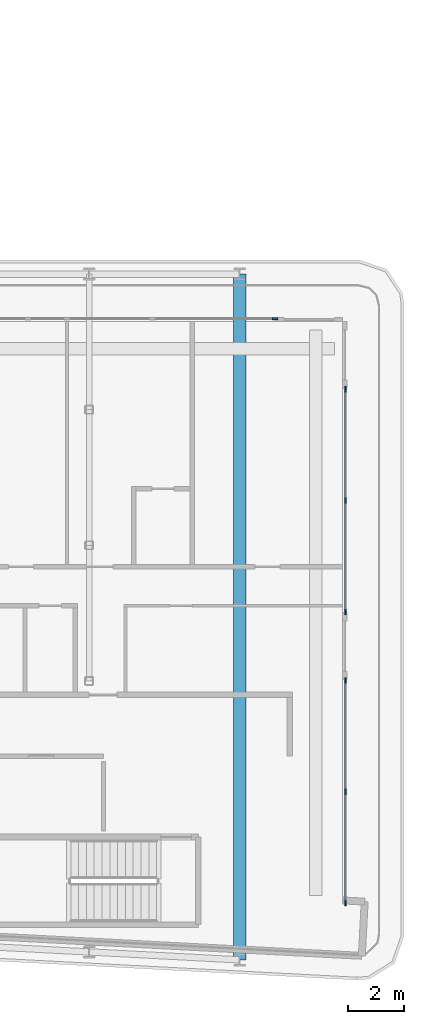
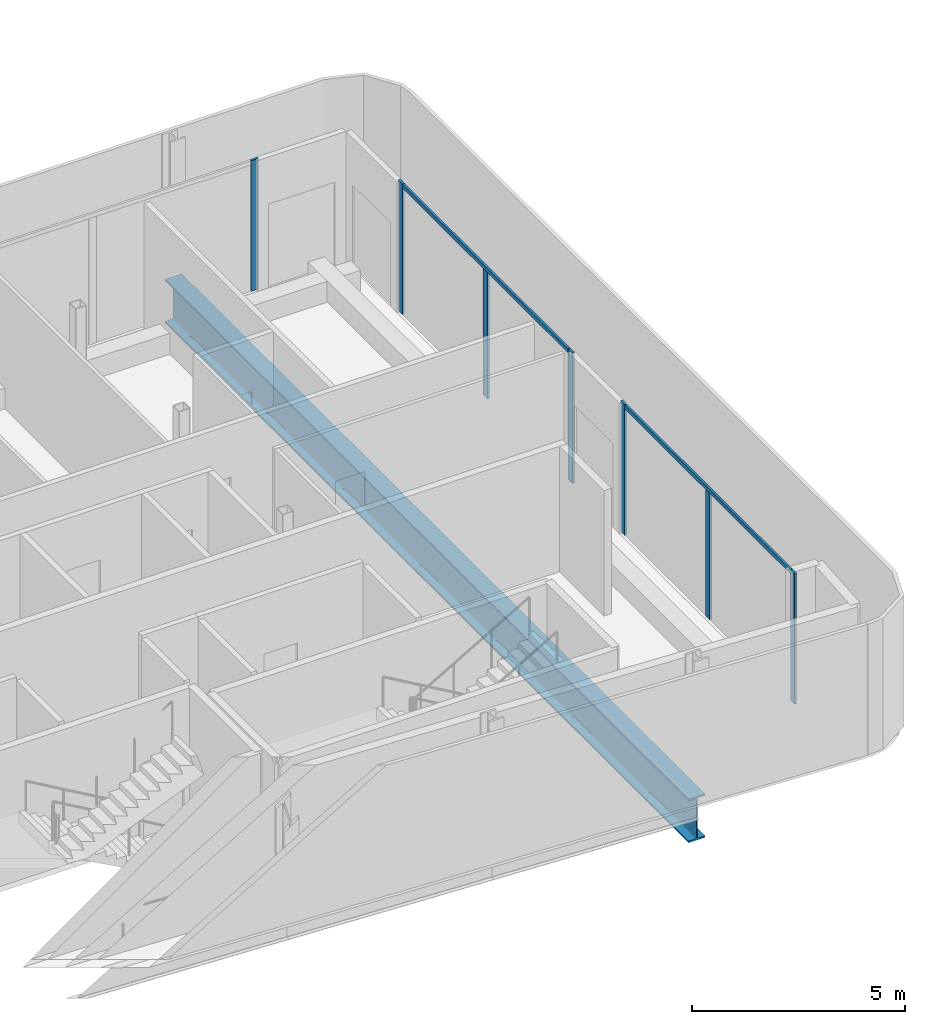
# One storey, part 10 of 30: 9 members, 1 beam, 3 elements without a shape of their own.
"""IFC4 building model written with IfcOpenShell, lengths in metres."""

from ifc_helpers import new_model, si_unit, direction, frame, origin, origin_2d, place, context, subcontext, project, spatial, rectangle, i_section, extrude, material, layer, layer_set, material_profile, profile_set, type_object, element, aggregate, save


model = new_model("IFC4")

# Units and contexts
model_context = context("Model", 3, precision=1e-05, world=origin(), true_north=direction((0.0, 1.0)))
body_context = subcontext(model_context, "Body", "Model", "MODEL_VIEW")
ifc_project = project(units=[si_unit("LENGTHUNIT", "METRE"), si_unit("AREAUNIT", "SQUARE_METRE"), si_unit("VOLUMEUNIT", "CUBIC_METRE"), si_unit("PLANEANGLEUNIT", "RADIAN"), si_unit("MASSUNIT", "GRAM", prefix="KILO")], contexts=[model_context])

# Site, building, storey
site_placement = place(None, origin())
site = spatial("IfcSite", under=ifc_project, at=site_placement, CompositionType="ELEMENT")
building_placement = place(site_placement, origin())
building = spatial("IfcBuilding", under=site, at=building_placement, Name="Kheshtan School and Residences Tower", CompositionType="ELEMENT")
storey_placement = place(building_placement, frame((0.0, 0.0, 164.300048828125)))
storey = spatial("IfcBuildingStorey", under=building, at=storey_placement, Name="L38", CompositionType="ELEMENT", Elevation=164.300048828125)

# Curtain wall, member
ifc_material_1 = material(Name="Clear low-e glass in thermally broken aluminium frame", Category="aluminium")
ifc_layer = layer(ifc_material_1, 0.199951171875)
ifc_layer_set = layer_set([ifc_layer], Name="Curtain wall CW-L")
curtain_wall_type = type_object("IfcCurtainWallType", Name="Curtain wall CW-L", PredefinedType="NOTDEFINED", material=ifc_layer_set)
curtain_wall_1_placement = place(storey_placement, origin())
curtain_wall_1 = element("IfcCurtainWall", 1, at=curtain_wall_1_placement, inside=storey, type_object=curtain_wall_type, Name="Curtain wall CWL12y", PredefinedType="NOTDEFINED")
ifc_material_2 = material(Name="Thermally broken aluminium, dark bronze anodised", Category="aluminium")
ifc_material_profile_1 = material_profile(ifc_material_2, rectangle(XDim=0.06005859375, YDim=0.199951171875, at=origin_2d()), Name="CW-L mullion 60x200")
ifc_profile_set_1 = profile_set([ifc_material_profile_1], Name="Thermally broken aluminium, dark bronze anodised")
member_type_1 = type_object("IfcMemberType", Name="CW-L mullion 60x200", PredefinedType="MULLION", material=ifc_profile_set_1)
member_1_placement = place(storey_placement, frame((92.070068359375, 44.0, 0.0), z_axis=(0.0, 0.0, 1.0), x_axis=(0.0, 1.0, 0.0)))
member_1 = element("IfcMember", 2, at=member_1_placement, type_object=member_type_1, Name="CWL12y mullion 4", PredefinedType="MULLION", context=body_context, shape_type="SweptSolid", body=[
    extrude(rectangle(XDim=0.06005859375, YDim=0.199951171875, at=origin_2d()), origin(), (0.0, 0.0, 1.0), 3.75),
])
aggregate(curtain_wall_1, [member_1])

# Curtain wall, members
curtain_wall_2_placement = place(storey_placement, origin())
curtain_wall_2 = element("IfcCurtainWall", 3, at=curtain_wall_2_placement, inside=storey, type_object=curtain_wall_type, Name="Curtain wall CWL13a", PredefinedType="NOTDEFINED")
member_2_placement = place(storey_placement, frame((94.60009765625, 41.469970703125, 0.0), z_axis=(0.0, 0.0, 1.0), x_axis=(1.0, 0.0, 0.0)))
member_2 = element("IfcMember", 4, at=member_2_placement, type_object=member_type_1, Name="CWL13a mullion 1", PredefinedType="MULLION", context=body_context, shape_type="SweptSolid", body=[
    extrude(rectangle(XDim=0.06005859375, YDim=0.199951171875, at=origin_2d()), origin(), (0.0, 0.0, 1.0), 3.75),
])
member_3_placement = place(storey_placement, frame((94.60009765625, 37.474609375, 0.0), z_axis=(0.0, 0.0, 1.0), x_axis=(1.0, 0.0, 0.0)))
member_3 = element("IfcMember", 5, at=member_3_placement, type_object=member_type_1, Name="CWL13a mullion 2", PredefinedType="MULLION", context=body_context, shape_type="SweptSolid", body=[
    extrude(rectangle(XDim=0.06005859375, YDim=0.199951171875, at=origin_2d()), origin(), (0.0, 0.0, 1.0), 3.6298828125),
])
member_4_placement = place(storey_placement, frame((94.60009765625, 33.47900390625, 0.0), z_axis=(0.0, 0.0, 1.0), x_axis=(1.0, 0.0, 0.0)))
member_4 = element("IfcMember", 6, at=member_4_placement, type_object=member_type_1, Name="CWL13a mullion 3", PredefinedType="MULLION", context=body_context, shape_type="SweptSolid", body=[
    extrude(rectangle(XDim=0.06005859375, YDim=0.199951171875, at=origin_2d()), origin(), (0.0, 0.0, 1.0), 3.75),
])

curtain_wall_3_placement = place(storey_placement, origin())
curtain_wall_3 = element("IfcCurtainWall", 7, at=curtain_wall_3_placement, inside=storey, type_object=curtain_wall_type, Name="Curtain wall CWL13a", PredefinedType="NOTDEFINED")
member_5_placement = place(storey_placement, frame((94.60009765625, 31.01904296875, 0.0), z_axis=(0.0, 0.0, 1.0), x_axis=(1.0, 0.0, 0.0)))
member_5 = element("IfcMember", 8, at=member_5_placement, type_object=member_type_1, Name="CWL13a mullion 1", PredefinedType="MULLION", context=body_context, shape_type="SweptSolid", body=[
    extrude(rectangle(XDim=0.06005859375, YDim=0.199951171875, at=origin_2d()), origin(), (0.0, 0.0, 1.0), 3.75),
])
member_6_placement = place(storey_placement, frame((94.60009765625, 27.0234375, 0.0), z_axis=(0.0, 0.0, 1.0), x_axis=(1.0, 0.0, 0.0)))
member_6 = element("IfcMember", 9, at=member_6_placement, type_object=member_type_1, Name="CWL13a mullion 2", PredefinedType="MULLION", context=body_context, shape_type="SweptSolid", body=[
    extrude(rectangle(XDim=0.06005859375, YDim=0.199951171875, at=origin_2d()), origin(), (0.0, 0.0, 1.0), 3.6298828125),
])
member_7_placement = place(storey_placement, frame((94.60009765625, 23.028076171875, 0.0), z_axis=(0.0, 0.0, 1.0), x_axis=(1.0, 0.0, 0.0)))
member_7 = element("IfcMember", 10, at=member_7_placement, type_object=member_type_1, Name="CWL13a mullion 3", PredefinedType="MULLION", context=body_context, shape_type="SweptSolid", body=[
    extrude(rectangle(XDim=0.06005859375, YDim=0.199951171875, at=origin_2d()), origin(), (0.0, 0.0, 1.0), 3.75),
])

# Member
ifc_material_profile_2 = material_profile(ifc_material_2, rectangle(XDim=0.06005859375, YDim=0.1201171875, at=origin_2d()), Name="CW-L transom 60x120")
ifc_profile_set_2 = profile_set([ifc_material_profile_2], Name="Thermally broken aluminium, dark bronze anodised")
member_type_2 = type_object("IfcMemberType", Name="CW-L transom 60x120", PredefinedType="USERDEFINED", material=ifc_profile_set_2)
member_8_placement = place(storey_placement, frame((94.60009765625, 41.43994140625, 3.68994140625), z_axis=(0.0, -1.0, 0.0), x_axis=(1.0, 0.0, 0.0)))
member_8 = element("IfcMember", 11, at=member_8_placement, type_object=member_type_2, Name="CWL13a transom 1", ObjectType="TRANSOM", PredefinedType="USERDEFINED", context=body_context, shape_type="SweptSolid", body=[
    extrude(rectangle(XDim=0.06005859375, YDim=0.1201171875, at=origin_2d()), origin(), (0.0, 0.0, 1.0), 7.930908203125),
])

aggregate(curtain_wall_2, [member_2, member_3, member_4, member_8])

member_9_placement = place(storey_placement, frame((94.60009765625, 30.989013671875, 3.68994140625), z_axis=(0.0, -1.0, 0.0), x_axis=(1.0, 0.0, 0.0)))
member_9 = element("IfcMember", 12, at=member_9_placement, type_object=member_type_2, Name="CWL13a transom 1", ObjectType="TRANSOM", PredefinedType="USERDEFINED", context=body_context, shape_type="SweptSolid", body=[
    extrude(rectangle(XDim=0.06005859375, YDim=0.1201171875, at=origin_2d()), origin(), (0.0, 0.0, 1.0), 7.930908203125),
])

aggregate(curtain_wall_3, [member_5, member_6, member_7, member_9])

# Beam
ifc_material_3 = material(Name="Steel ASTM A992 Grade 50", Category="steel")
ifc_material_profile_3 = material_profile(ifc_material_3, i_section(OverallWidth=0.449951171875, OverallDepth=1.25, WebThickness=0.02490234375, FlangeThickness=0.044921875, FilletRadius=0.03759765625, at=origin_2d()), Name="WWF1250x546")
ifc_profile_set_3 = profile_set([ifc_material_profile_3], Name="Steel ASTM A992 Grade 50")
beam_type = type_object("IfcBeamType", Name="Transfer girder TG4 WWF1250x546 ASTM A992 Grade 50", PredefinedType="BEAM", material=ifc_profile_set_3)
beam_placement = place(storey_placement, frame((90.800048828125, 45.60009765625, -0.775146484375), z_axis=(0.0, -1.0, 0.0), x_axis=(1.0, 0.0, 0.0)))
element("IfcBeam", 13, at=beam_placement, inside=storey, type_object=beam_type, Name="Transfer girder C068-C006", PredefinedType="BEAM", context=body_context, shape_type="SweptSolid", body=[
    extrude(i_section(OverallWidth=0.449951171875, OverallDepth=1.25, WebThickness=0.02490234375, FlangeThickness=0.044921875, FilletRadius=0.03759765625, at=origin_2d()), origin(), (0.0, 0.0, 1.0), 24.610107421875),
])

save(model, "model.ifc")
